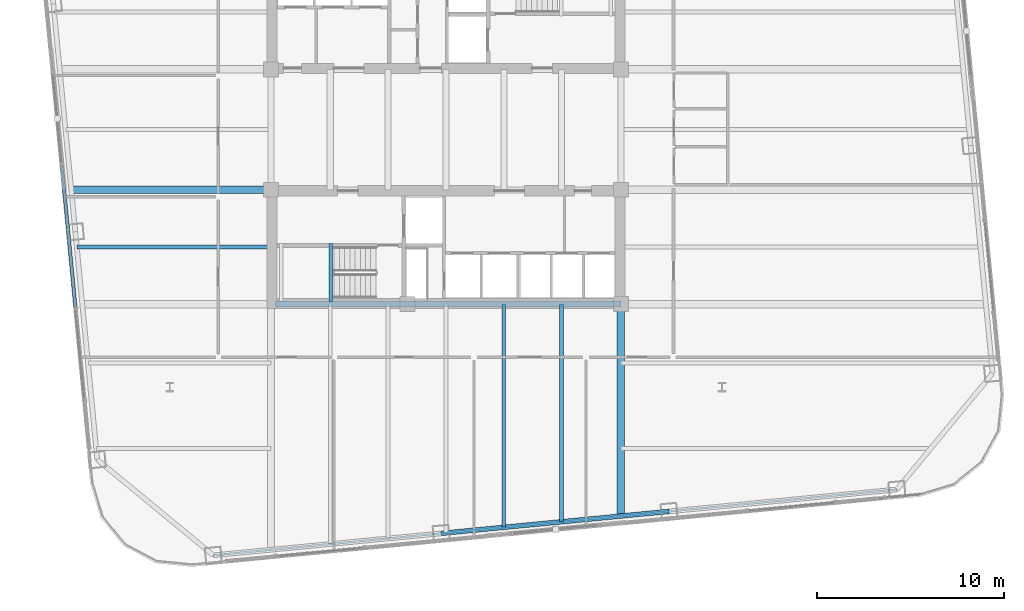
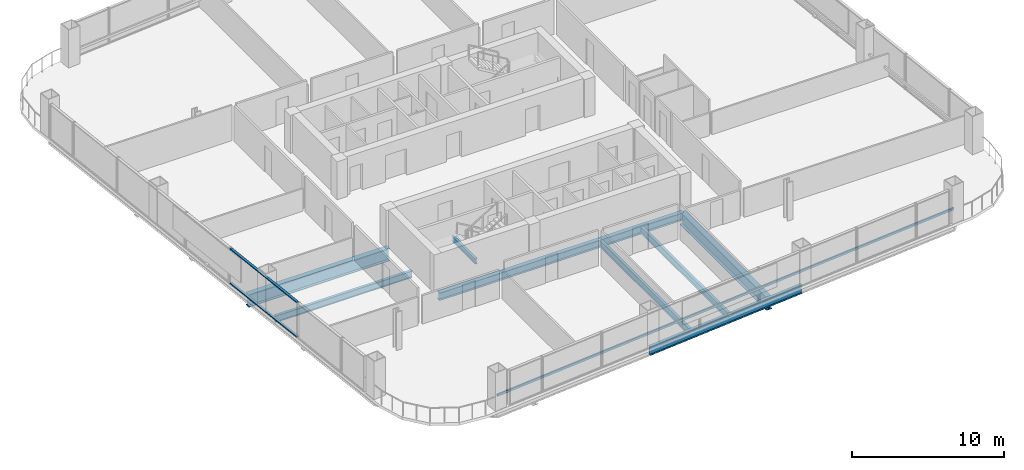
# One storey, part 6 of 32: 8 beams, 3 members, 1 element without a shape of its own.
"""IFC4 building model written with IfcOpenShell, lengths in metres."""

import ifcopenshell
import ifcopenshell.guid

model = None  # the IFC model being written
_history = None  # IfcOwnerHistory: only IFC2X3 demands one
_inside = {}  # id of a spatial element -> (the spatial element, [elements in it])
_under = {}  # id of a project, library or spatial element -> (it, [spatial elements below it])
_declared = {}  # id of a project -> (the project, [libraries it declares])
_typed = {}  # id of a type object -> (the type object, [elements of that type])
_made_of = {}  # id of a material, layer set ... -> (it, [elements and type objects made of it])


def new_model(schema):
    """Start an empty IFC model of exactly this schema.

    Asked for "IFC4X3", IfcOpenShell would pick the latest addendum, in which some entities
    have other attributes; the version numbers below select the first issue.
    IFC2X3 requires an IfcOwnerHistory on every rooted entity: one is made here for all.
    """
    global model, _history
    if schema == "IFC4X3":
        model = ifcopenshell.file(schema_version=(4, 3, 0, 0))
    else:
        model = ifcopenshell.file(schema=schema)
    _inside.clear()
    _under.clear()
    _declared.clear()
    _typed.clear()
    _made_of.clear()
    _history = None
    if model.schema == "IFC2X3":
        org = make("IfcOrganization", Name="unknown")
        user = make(
            "IfcPersonAndOrganization",
            ThePerson=make("IfcPerson", FamilyName="unknown"),
            TheOrganization=org,
        )
        app = make(
            "IfcApplication",
            ApplicationDeveloper=org,
            Version="unknown",
            ApplicationFullName="unknown",
            ApplicationIdentifier="unknown",
        )
        _history = make(
            "IfcOwnerHistory",
            OwningUser=user,
            OwningApplication=app,
            ChangeAction="ADDED",
            CreationDate=0,
        )
    return model


def make(cls, **values):
    """One entity of the class cls with the attributes given. An attribute that is None is left unset."""
    return model.create_entity(
        cls, **{name: value for name, value in values.items() if value is not None}
    )


def rooted(cls, **values):
    """An entity with a GlobalId (a new one), such as an element, a storey or a relation."""
    return make(cls, GlobalId=ifcopenshell.guid.new(), OwnerHistory=_history, **values)


def si_unit(unit_type, name, prefix=None):
    """IfcSIUnit, for example si_unit("LENGTHUNIT", "METRE", prefix="MILLI")."""
    return make("IfcSIUnit", UnitType=unit_type, Prefix=prefix, Name=name)


def assignment(units):
    """IfcUnitAssignment: the units of a project."""
    return None if units is None else make("IfcUnitAssignment", Units=units)


def point(xyz):
    """IfcCartesianPoint."""
    return None if xyz is None else make("IfcCartesianPoint", Coordinates=xyz)


def direction(xyz):
    """IfcDirection."""
    return None if xyz is None else make("IfcDirection", DirectionRatios=xyz)


def frame(location, z_axis=None, x_axis=None):
    """IfcAxis2Placement3D, a coordinate frame: its origin and axes. An axis left out is left unset."""
    return make(
        "IfcAxis2Placement3D",
        Location=point(location),
        Axis=direction(z_axis),
        RefDirection=direction(x_axis),
    )


def frame_2d(location, x_axis=None):
    """IfcAxis2Placement2D, a coordinate frame in the plane: its origin and x axis."""
    return make(
        "IfcAxis2Placement2D", Location=point(location), RefDirection=direction(x_axis)
    )


def origin():
    """The frame at (0, 0, 0) with its axes left unset."""
    return frame((0.0, 0.0, 0.0))


def origin_2d():
    """The frame at (0, 0) in the plane with its x axis left unset."""
    return frame_2d((0.0, 0.0))


def place(relative_to, where):
    """IfcLocalPlacement: puts the frame where relative to a parent placement (None: the world)."""
    return make(
        "IfcLocalPlacement", PlacementRelTo=relative_to, RelativePlacement=where
    )


def context(
    kind, dimensions, precision=None, world=None, true_north=None, identifier=None
):
    """IfcGeometricRepresentationContext, for example the 3D "Model" context."""
    return make(
        "IfcGeometricRepresentationContext",
        ContextIdentifier=identifier,
        ContextType=kind,
        CoordinateSpaceDimension=dimensions,
        Precision=precision,
        WorldCoordinateSystem=world,
        TrueNorth=true_north,
    )


def subcontext(parent, identifier, kind, view, scale=None):
    """IfcGeometricRepresentationSubContext, for example "Body" below "Model"."""
    return make(
        "IfcGeometricRepresentationSubContext",
        ContextIdentifier=identifier,
        ContextType=kind,
        ParentContext=parent,
        TargetScale=scale,
        TargetView=view,
    )


def project(units=None, contexts=None):
    """IfcProject with its units and contexts."""
    return rooted(
        "IfcProject",
        Name="project",
        RepresentationContexts=contexts,
        UnitsInContext=assignment(units),
    )


def spatial(cls, under=None, at=None, **own):
    """A site, building, storey or space (cls), placed at a placement, below another one or the project."""
    s = rooted(cls, ObjectPlacement=at, **own)
    if under is not None:
        _under.setdefault(under.id(), (under, []))[1].append(s)
    return s


def profile(cls, at=None, kind="AREA", **sizes):
    """A parametric profile (cls). Its sizes go by their IFC names, for example OverallWidth=200.0."""
    return make(cls, ProfileType=kind, Position=at, **sizes)


def hollow_rectangle(**sizes):
    """IfcRectangleHollowProfileDef."""
    return profile("IfcRectangleHollowProfileDef", **sizes)


def i_section(**sizes):
    """IfcIShapeProfileDef."""
    return profile("IfcIShapeProfileDef", **sizes)


def extrude(swept, where, along, depth):
    """IfcExtrudedAreaSolid: the profile swept, set in the frame where, extruded along a direction by depth."""
    return make(
        "IfcExtrudedAreaSolid",
        SweptArea=swept,
        Position=where,
        ExtrudedDirection=direction(along),
        Depth=depth,
    )


def shape(context_of_items, identifier, shape_type, items):
    """IfcShapeRepresentation: the items that make up one representation, for example the "Body"."""
    return make(
        "IfcShapeRepresentation",
        ContextOfItems=context_of_items,
        RepresentationIdentifier=identifier,
        RepresentationType=shape_type,
        Items=items,
    )


def material(Name=None, Category=None):
    """IfcMaterial."""
    return make("IfcMaterial", Name=Name, Category=Category)


def layer(
    of_material, thickness, ventilated=None, Name=None, Category=None, Priority=None
):
    """IfcMaterialLayer: one layer of a wall or slab, of a material (None: an air gap)."""
    return make(
        "IfcMaterialLayer",
        Material=of_material,
        LayerThickness=thickness,
        IsVentilated=ventilated,
        Name=Name,
        Category=Category,
        Priority=Priority,
    )


def layer_set(layers, Name=None):
    """IfcMaterialLayerSet."""
    return make("IfcMaterialLayerSet", MaterialLayers=layers, LayerSetName=Name)


def material_profile(
    of_material, cross_section, Name=None, Category=None, Priority=None
):
    """IfcMaterialProfile: a cross section and its material."""
    return make(
        "IfcMaterialProfile",
        Name=Name,
        Material=of_material,
        Profile=cross_section,
        Priority=Priority,
        Category=Category,
    )


def profile_set(profiles, Name=None, composite=None):
    """IfcMaterialProfileSet."""
    return make(
        "IfcMaterialProfileSet",
        Name=Name,
        MaterialProfiles=profiles,
        CompositeProfile=composite,
    )


def made_of(thing, what):
    """Note that an element or type object is made of a material, layer set ...; save() writes the relation."""
    if what is not None:
        _made_of.setdefault(what.id(), (what, []))[1].append(thing)
    return thing


def type_object(cls, material=None, **own):
    """A type object (cls), such as IfcWallType, which elements share."""
    return made_of(rooted(cls, **own), material)


def element(
    cls,
    number,
    at=None,
    inside=None,
    cuts=None,
    type_object=None,
    material=None,
    context=None,
    identifier="Body",
    shape_type=None,
    held_by="IfcProductDefinitionShape",
    body=None,
    shapes=None,
    **own,
):
    """One element of the class cls, such as IfcWall. Its Tag is "e" and its number.

    at: its placement. inside: the storey or other place that contains it. cuts: it is an
    opening in that element (IfcRelVoidsElement). A single representation is given by context,
    identifier, shape_type and body (its items); several are given by shapes. held_by: the class
    of the entity that holds the representations. save() writes the other relations.
    """
    e = rooted(cls, Tag="e%d" % number, ObjectPlacement=at, **own)
    if body is not None:
        shapes = [shape(context, identifier, shape_type, body)]
    if shapes is not None:
        e.Representation = make(held_by, Representations=shapes)
    if inside is not None:
        _inside.setdefault(inside.id(), (inside, []))[1].append(e)
    if cuts is not None:
        rooted(
            "IfcRelVoidsElement", RelatingBuildingElement=cuts, RelatedOpeningElement=e
        )
    if type_object is not None:
        _typed.setdefault(type_object.id(), (type_object, []))[1].append(e)
    return made_of(e, material)


def aggregate(whole, parts):
    """IfcRelAggregates: a whole, such as a stair, and the parts it consists of."""
    return rooted("IfcRelAggregates", RelatingObject=whole, RelatedObjects=parts)


def save(model, path):
    """Write the relations noted so far, then the file.

    IfcRelAggregates (storeys below a building ...), IfcRelContainedInSpatialStructure (elements
    in a storey), IfcRelDefinesByType, IfcRelAssociatesMaterial and IfcRelDeclares: one each for
    every whole, place, type object, material and project.
    """
    for whole, parts in _under.values():
        aggregate(whole, parts)
    for where, things in _inside.values():
        rooted(
            "IfcRelContainedInSpatialStructure",
            RelatedElements=things,
            RelatingStructure=where,
        )
    for kind, things in _typed.values():
        rooted("IfcRelDefinesByType", RelatedObjects=things, RelatingType=kind)
    for what, things in _made_of.values():
        rooted("IfcRelAssociatesMaterial", RelatedObjects=things, RelatingMaterial=what)
    for by, libraries in _declared.values():
        rooted("IfcRelDeclares", RelatingContext=by, RelatedDefinitions=libraries)
    model.write(path)


model = new_model("IFC4")

# Units and contexts
model_context = context("Model", 3, precision=1e-05, world=origin(), true_north=direction((0.0, 1.0)))
body_context = subcontext(model_context, "Body", "Model", "MODEL_VIEW")
ifc_project = project(units=[si_unit("LENGTHUNIT", "METRE"), si_unit("AREAUNIT", "SQUARE_METRE"), si_unit("VOLUMEUNIT", "CUBIC_METRE"), si_unit("PLANEANGLEUNIT", "RADIAN"), si_unit("MASSUNIT", "GRAM", prefix="KILO")], contexts=[model_context])

# Site, building, storey
site_placement = place(None, origin())
site = spatial("IfcSite", under=ifc_project, at=site_placement, CompositionType="ELEMENT")
building_placement = place(site_placement, origin())
building = spatial("IfcBuilding", under=site, at=building_placement, Name="Qhalaya Broadcast Tower", CompositionType="ELEMENT")
storey_placement = place(building_placement, frame((0.0, 0.0, 87.75)))
storey = spatial("IfcBuildingStorey", under=building, at=storey_placement, Name="L25", CompositionType="ELEMENT", Elevation=87.75)

# Beams
ifc_material_1 = material(Name="Structural Steel ASTM A992 Grade 50", Category="steel")
ifc_material_profile_1 = material_profile(ifc_material_1, i_section(OverallWidth=0.2099609375, OverallDepth=0.535888671875, WebThickness=0.010986328125, FlangeThickness=0.017333984375, at=origin_2d()), Name="W21X68")
ifc_profile_set_1 = profile_set([ifc_material_profile_1], Name="Structural Steel ASTM A992 Grade 50")
beam_type_1 = type_object("IfcBeamType", Name="Composite Floor Joist J02", PredefinedType="JOIST", material=ifc_profile_set_1)
beam_1_placement = place(storey_placement, frame((3.10009765625, -20.693603515625, -0.488037109375), z_axis=(0.0, 1.0, 0.0), x_axis=(-1.0, 0.0, 0.0)))
element("IfcBeam", 1, at=beam_1_placement, inside=storey, type_object=beam_type_1, Name="L25 J02 L25-JNS4-1", PredefinedType="JOIST", context=body_context, shape_type="SweptSolid", body=[
    extrude(i_section(OverallWidth=0.2099609375, OverallDepth=0.535888671875, WebThickness=0.010986328125, FlangeThickness=0.017333984375, at=origin_2d()), origin(), (0.0, 0.0, 1.0), 11.943603515625),
])
beam_2_placement = place(storey_placement, frame((6.199951171875, -20.395263671875, -0.488037109375), z_axis=(0.0, 1.0, 0.0), x_axis=(-1.0, 0.0, 0.0)))
element("IfcBeam", 2, at=beam_2_placement, inside=storey, type_object=beam_type_1, Name="L25 J02 L25-JNS5-1", PredefinedType="JOIST", context=body_context, shape_type="SweptSolid", body=[
    extrude(i_section(OverallWidth=0.2099609375, OverallDepth=0.535888671875, WebThickness=0.010986328125, FlangeThickness=0.017333984375, at=origin_2d()), origin(), (0.0, 0.0, 1.0), 11.645263671875),
])
beam_3_placement = place(storey_placement, frame((-19.76171875, -5.699951171875, -0.488037109375), z_axis=(1.0, 0.0, 0.0), x_axis=(0.0, 1.0, 0.0)))
element("IfcBeam", 3, at=beam_3_placement, inside=storey, type_object=beam_type_1, Name="L25 J02 L25-JWE3W-1", PredefinedType="JOIST", context=body_context, shape_type="SweptSolid", body=[
    extrude(i_section(OverallWidth=0.2099609375, OverallDepth=0.535888671875, WebThickness=0.010986328125, FlangeThickness=0.017333984375, at=origin_2d()), origin(), (0.0, 0.0, 1.0), 10.38671875),
])
ifc_material_profile_2 = material_profile(ifc_material_1, i_section(OverallWidth=0.323974609375, OverallDepth=0.612060546875, WebThickness=0.0126953125, FlangeThickness=0.01904296875, at=origin_2d()), Name="W24X104")
ifc_profile_set_2 = profile_set([ifc_material_profile_2], Name="Structural Steel ASTM A992 Grade 50")
beam_type_2 = type_object("IfcBeamType", Name="Core Frame Tie Beam B04", PredefinedType="BEAM", material=ifc_profile_set_2)
beam_4_placement = place(storey_placement, frame((-9.1201171875, -8.75, -0.52587890625), z_axis=(1.0, 0.0, 0.0), x_axis=(0.0, 1.0, 0.0)))
element("IfcBeam", 4, at=beam_4_placement, inside=storey, type_object=beam_type_2, Name="L25 B04 L25-CCS3", PredefinedType="BEAM", context=body_context, shape_type="SweptSolid", body=[
    extrude(i_section(OverallWidth=0.323974609375, OverallDepth=0.612060546875, WebThickness=0.0126953125, FlangeThickness=0.01904296875, at=origin_2d()), origin(), (0.0, 0.0, 1.0), 18.4951171875),
])

# Member
ifc_material_2 = material(Name="Fired Architectural Terracotta", Category="masonry")
ifc_material_profile_3 = material_profile(ifc_material_2, hollow_rectangle(XDim=0.110107421875, YDim=0.179931640625, WallThickness=0.01806640625, at=origin_2d()), Name="TB-BAG 110x180x18")
ifc_profile_set_3 = profile_set([ifc_material_profile_3], Name="Fired Architectural Terracotta")
member_type_1 = type_object("IfcMemberType", Name="Fired Terracotta Facade Baguette Member TB1", PredefinedType="USERDEFINED", material=ifc_profile_set_3)
member_1_placement = place(storey_placement, frame((-12.46533203125, -22.212646484375, 0.84912109375), z_axis=(0.995396269574, 0.095845013007, 0.0), x_axis=(-0.095845013007, 0.995396269574, 0.0)))
element("IfcMember", 5, at=member_1_placement, inside=storey, type_object=member_type_1, Name="L25 Terracotta Baguette Feature Rail S", ObjectType="BAGUETTE", PredefinedType="USERDEFINED", context=body_context, shape_type="SweptSolid", body=[
    extrude(hollow_rectangle(XDim=0.110107421875, YDim=0.179931640625, WallThickness=0.01806640625, at=origin_2d()), origin(), (0.0, 0.0, 1.0), 36.800048828125),
])

# Beams
ifc_material_profile_4 = material_profile(ifc_material_1, i_section(OverallWidth=0.40087890625, OverallDepth=1.010986328125, WebThickness=0.023681640625, FlangeThickness=0.0419921875, at=origin_2d()), Name="W40X297")
ifc_profile_set_4 = profile_set([ifc_material_profile_4], Name="Structural Steel ASTM A992 Grade 50")
beam_type_3 = type_object("IfcBeamType", Name="Lower Block Primary Girder PG2", PredefinedType="USERDEFINED", material=ifc_profile_set_4)
beam_5_placement = place(storey_placement, frame((9.375, -20.089599609375, -0.7255859375), z_axis=(0.0, 1.0, 0.0), x_axis=(-1.0, 0.0, 0.0)))
element("IfcBeam", 6, at=beam_5_placement, inside=storey, type_object=beam_type_3, Name="L25 PG2 L25-PGXS2-1", ObjectType="GIRDER", PredefinedType="USERDEFINED", context=body_context, shape_type="SweptSolid", body=[
    extrude(i_section(OverallWidth=0.40087890625, OverallDepth=1.010986328125, WebThickness=0.023681640625, FlangeThickness=0.0419921875, at=origin_2d()), origin(), (0.0, 0.0, 1.0), 11.339599609375),
])
beam_6_placement = place(storey_placement, frame((-20.057861328125, -2.625, -0.7255859375), z_axis=(1.0, 0.0, 0.0), x_axis=(0.0, 1.0, 0.0)))
element("IfcBeam", 7, at=beam_6_placement, inside=storey, type_object=beam_type_3, Name="L25 PG2 L25-PGYW2-1", ObjectType="GIRDER", PredefinedType="USERDEFINED", context=body_context, shape_type="SweptSolid", body=[
    extrude(i_section(OverallWidth=0.40087890625, OverallDepth=1.010986328125, WebThickness=0.023681640625, FlangeThickness=0.0419921875, at=origin_2d()), origin(), (0.0, 0.0, 1.0), 10.682861328125),
])
ifc_material_profile_5 = material_profile(ifc_material_1, i_section(OverallWidth=0.25390625, OverallDepth=0.68310546875, WebThickness=0.012451171875, FlangeThickness=0.01904296875, at=origin_2d()), Name="W27X94")
ifc_profile_set_5 = profile_set([ifc_material_profile_5], Name="Structural Steel ASTM A992 Grade 50")
beam_type_4 = type_object("IfcBeamType", Name="Perimeter Ring Spandrel Beam SP1", PredefinedType="SPANDREL", material=ifc_profile_set_5)
beam_7_placement = place(storey_placement, frame((-0.255126953125, -21.036865234375, -0.5615234375), z_axis=(0.99539563662, 0.095851586307, 0.0), x_axis=(-0.095851586307, 0.99539563662, 0.0)))
element("IfcBeam", 8, at=beam_7_placement, inside=storey, type_object=beam_type_4, Name="L25 SP1 L25-SPR-02", PredefinedType="SPANDREL", context=body_context, shape_type="SweptSolid", body=[
    extrude(i_section(OverallWidth=0.25390625, OverallDepth=0.68310546875, WebThickness=0.012451171875, FlangeThickness=0.01904296875, at=origin_2d()), origin(), (0.0, 0.0, 1.0), 12.2666015625),
])

# Curtain wall, members
ifc_layer = layer(ifc_material_2, 0.219970703125, Name="Fired Architectural Terracotta")
ifc_layer_set = layer_set([ifc_layer], Name="Fired Architectural Terracotta")
curtain_wall_type = type_object("IfcCurtainWallType", Name="Block-Cap Unitised Terracotta Spandrel Wall CW-07", PredefinedType="NOTDEFINED", material=ifc_layer_set)
curtain_wall_placement = place(storey_placement, origin())
curtain_wall = element("IfcCurtainWall", 9, at=curtain_wall_placement, inside=storey, type_object=curtain_wall_type, Name="L25 Unitised Curtain Wall L25-CW-W5", PredefinedType="NOTDEFINED")
ifc_material_3 = material(Name="Anodised Aluminium 6063-T6", Category="aluminium")
ifc_material_profile_6 = material_profile(ifc_material_3, hollow_rectangle(XDim=0.074951171875, YDim=0.179931640625, WallThickness=0.00390625, at=origin_2d()), Name="ALU-TRN 75x180x4")
ifc_profile_set_6 = profile_set([ifc_material_profile_6], Name="Anodised Aluminium 6063-T6")
member_type_2 = type_object("IfcMemberType", Name="Unitised Curtain-Wall Transom T01", PredefinedType="USERDEFINED", material=ifc_profile_set_6)
member_2_placement = place(storey_placement, frame((-20.58251953125, -1.3486328125, 0.03759765625), z_axis=(0.095860723512, -0.995394756711, 0.0), x_axis=(0.0, 0.0, 1.0)))
member_2 = element("IfcMember", 10, at=member_2_placement, type_object=member_type_2, Name="CW-07 transom 1.1", ObjectType="TRANSOM", PredefinedType="USERDEFINED", context=body_context, shape_type="SweptSolid", body=[
    extrude(hollow_rectangle(XDim=0.074951171875, YDim=0.179931640625, WallThickness=0.00390625, at=origin_2d()), origin(), (0.0, 0.0, 1.0), 7.55908203125),
])
member_3_placement = place(storey_placement, frame((-20.58251953125, -1.3486328125, 2.79248046875), z_axis=(0.095860723512, -0.995394756711, 0.0), x_axis=(0.0, 0.0, 1.0)))
member_3 = element("IfcMember", 11, at=member_3_placement, type_object=member_type_2, Name="CW-07 transom 1.2", ObjectType="TRANSOM", PredefinedType="USERDEFINED", context=body_context, shape_type="SweptSolid", body=[
    extrude(hollow_rectangle(XDim=0.074951171875, YDim=0.179931640625, WallThickness=0.00390625, at=origin_2d()), origin(), (0.0, 0.0, 1.0), 7.55908203125),
])
aggregate(curtain_wall, [member_2, member_3])

# Beam
ifc_material_profile_7 = material_profile(ifc_material_1, i_section(OverallWidth=0.177978515625, OverallDepth=0.406005859375, WebThickness=0.0078125, FlangeThickness=0.0126953125, at=origin_2d()), Name="W16X40")
ifc_profile_set_7 = profile_set([ifc_material_profile_7], Name="Structural Steel ASTM A992 Grade 50")
beam_type_5 = type_object("IfcBeamType", Name="Upper Perimeter Spandrel Beam SP2", PredefinedType="SPANDREL", material=ifc_profile_set_7)
beam_8_placement = place(storey_placement, frame((-6.175048828125, -8.6201171875, 1.1220703125), z_axis=(0.0, 1.0, 0.0), x_axis=(-1.0, 0.0, 0.0)))
element("IfcBeam", 12, at=beam_8_placement, inside=storey, type_object=beam_type_5, Name="L25 ST-2 Half-Landing Bearer Beam 2", PredefinedType="SPANDREL", context=body_context, shape_type="SweptSolid", body=[
    extrude(i_section(OverallWidth=0.177978515625, OverallDepth=0.406005859375, WebThickness=0.0078125, FlangeThickness=0.0126953125, at=origin_2d()), origin(), (0.0, 0.0, 1.0), 3.1201171875),
])

save(model, "model.ifc")
